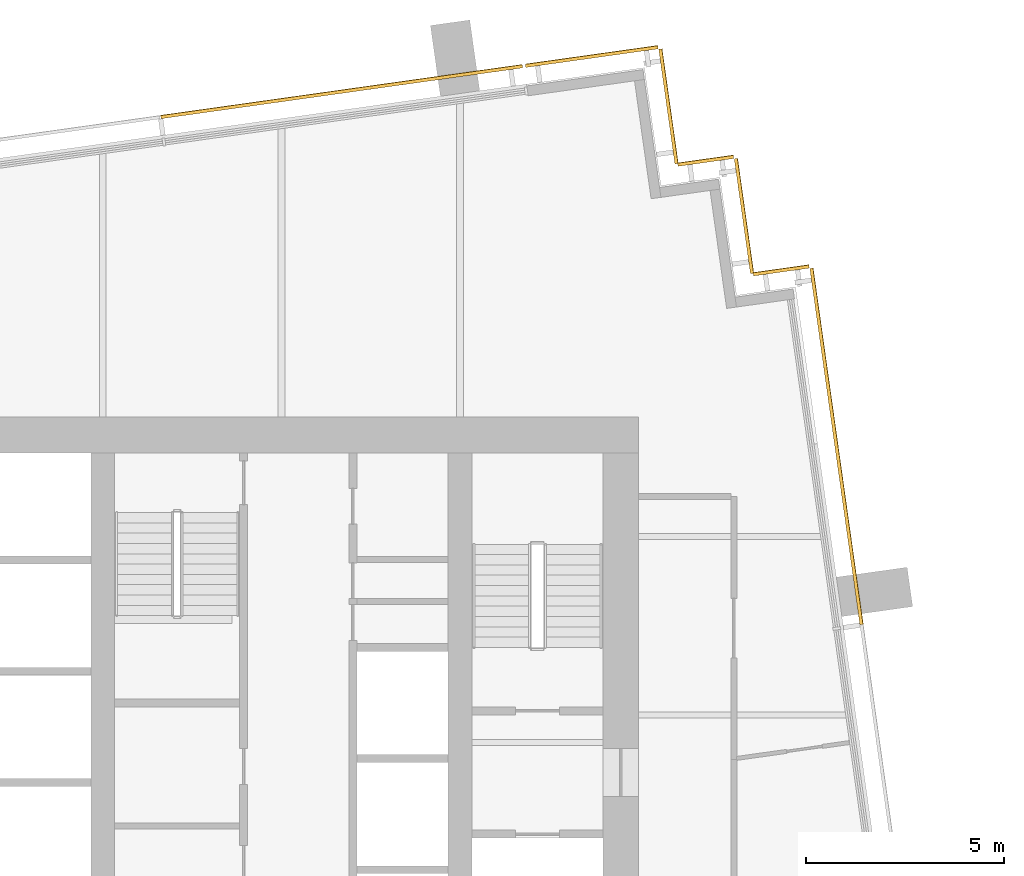
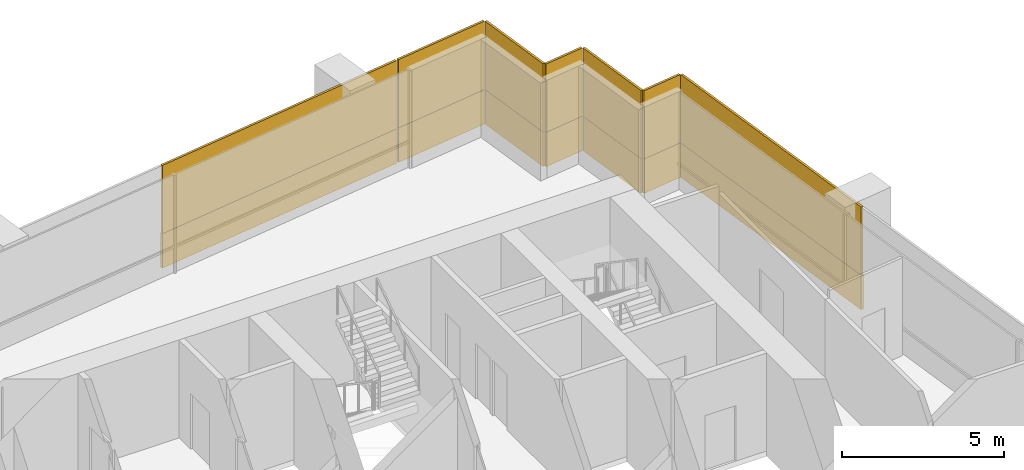
# One storey, part 15 of 15: 14 coverings.
"""IFC4 building model written with IfcOpenShell, lengths in metres."""

from ifc_helpers import new_model, si_unit, direction, frame, origin, origin_2d, place, context, subcontext, project, spatial, rectangle, extrude, material, layer, layer_set, type_object, element, save


model = new_model("IFC4")

# Units and contexts
model_context = context("Model", 3, precision=1e-05, world=origin(), true_north=direction((0.0, 1.0)))
body_context = subcontext(model_context, "Body", "Model", "MODEL_VIEW")
ifc_project = project(units=[si_unit("LENGTHUNIT", "METRE"), si_unit("AREAUNIT", "SQUARE_METRE"), si_unit("VOLUMEUNIT", "CUBIC_METRE"), si_unit("PLANEANGLEUNIT", "RADIAN"), si_unit("MASSUNIT", "GRAM", prefix="KILO")], contexts=[model_context])

# Site, building, storey
site_placement = place(None, origin())
site = spatial("IfcSite", under=ifc_project, at=site_placement, CompositionType="ELEMENT")
building_placement = place(site_placement, origin())
building = spatial("IfcBuilding", under=site, at=building_placement, Name="Rattan Terrace Tower", CompositionType="ELEMENT")
storey_placement = place(building_placement, frame((0.0, 0.0, 262.89990234375)))
storey = spatial("IfcBuildingStorey", under=building, at=storey_placement, Name="L60", CompositionType="ELEMENT", Elevation=262.89990234375)

# Coverings
ifc_material_1 = material(Name="Solid terracotta", Category="masonry")
ifc_layer_1 = layer(ifc_material_1, 0.090087890625)
ifc_layer_set_1 = layer_set([ifc_layer_1], Name="Facade Terracotta Band Panel HZ")
covering_type_1 = type_object("IfcCoveringType", Name="Facade Terracotta Band Panel HZ", PredefinedType="CLADDING", material=ifc_layer_set_1)
covering_1_placement = place(storey_placement, frame((22.986328125, 6.764892578125, -0.18994140625), z_axis=(0.0, 0.0, 1.0), x_axis=(-0.139191775431, 0.990265444036, 0.0)))
element("IfcCovering", 1, at=covering_1_placement, inside=storey, type_object=covering_type_1, Name="OUTER SKIN panel L60-8A", PredefinedType="CLADDING", context=body_context, shape_type="SweptSolid", body=[
    extrude(rectangle(XDim=9.066162109375, YDim=0.090087890625, at=origin_2d()), origin(), (0.0, 0.0, 1.0), 1.300048828125),
])
covering_2_placement = place(storey_placement, frame((21.59033203125, 11.20166015625, -0.18994140625), z_axis=(0.0, 0.0, 1.0), x_axis=(-0.990240767803, -0.139367219175, 0.0)))
element("IfcCovering", 2, at=covering_2_placement, inside=storey, type_object=covering_type_1, Name="OUTER SKIN panel L60-9A", PredefinedType="CLADDING", context=body_context, shape_type="SweptSolid", body=[
    extrude(rectangle(XDim=1.419677734375, YDim=0.090087890625, at=origin_2d()), origin(), (0.0, 0.0, 1.0), 1.300048828125),
])
covering_3_placement = place(storey_placement, frame((20.65576171875, 12.56982421875, -0.18994140625), z_axis=(0.0, 0.0, 1.0), x_axis=(-0.139321220646, 0.990247240581, 0.0)))
element("IfcCovering", 3, at=covering_3_placement, inside=storey, type_object=covering_type_1, Name="OUTER SKIN panel L60-10A", PredefinedType="CLADDING", context=body_context, shape_type="SweptSolid", body=[
    extrude(rectangle(XDim=2.919921875, YDim=0.090087890625, at=origin_2d()), origin(), (0.0, 0.0, 1.0), 1.300048828125),
])
covering_4_placement = place(storey_placement, frame((19.687255859375, 13.9638671875, -0.18994140625), z_axis=(0.0, 0.0, 1.0), x_axis=(-0.990332587523, -0.138713251317, 0.0)))
element("IfcCovering", 4, at=covering_4_placement, inside=storey, type_object=covering_type_1, Name="OUTER SKIN panel L60-11A", PredefinedType="CLADDING", context=body_context, shape_type="SweptSolid", body=[
    extrude(rectangle(XDim=1.41943359375, YDim=0.090087890625, at=origin_2d()), origin(), (0.0, 0.0, 1.0), 1.300048828125),
])
covering_5_placement = place(storey_placement, frame((18.752685546875, 15.332275390625, -0.18994140625), z_axis=(0.0, 0.0, 1.0), x_axis=(-0.139367219175, 0.990240767803, 0.0)))
element("IfcCovering", 5, at=covering_5_placement, inside=storey, type_object=covering_type_1, Name="OUTER SKIN panel L60-12A", PredefinedType="CLADDING", context=body_context, shape_type="SweptSolid", body=[
    extrude(rectangle(XDim=2.91943359375, YDim=0.090087890625, at=origin_2d()), origin(), (0.0, 0.0, 1.0), 1.300048828125),
])
covering_6_placement = place(storey_placement, frame((16.819091796875, 16.59033203125, -0.18994140625), z_axis=(0.0, 0.0, 1.0), x_axis=(-0.990286729519, -0.139040257974, 0.0)))
element("IfcCovering", 6, at=covering_6_placement, inside=storey, type_object=covering_type_1, Name="OUTER SKIN panel L60-13A", PredefinedType="CLADDING", context=body_context, shape_type="SweptSolid", body=[
    extrude(rectangle(XDim=3.368896484375, YDim=0.090087890625, at=origin_2d()), origin(), (0.0, 0.0, 1.0), 1.300048828125),
])
covering_7_placement = place(storey_placement, frame((10.516845703125, 15.70458984375, -0.18994140625), z_axis=(0.0, 0.0, 1.0), x_axis=(-0.990265894013, -0.139188574079, 0.0)))
element("IfcCovering", 7, at=covering_7_placement, inside=storey, type_object=covering_type_1, Name="OUTER SKIN panel L60-14A", PredefinedType="CLADDING", context=body_context, shape_type="SweptSolid", body=[
    extrude(rectangle(XDim=9.198974609375, YDim=0.090087890625, at=origin_2d()), origin(), (0.0, 0.0, 1.0), 1.300048828125),
])
ifc_material_2 = material(Name="Perforated terracotta", Category="masonry")
ifc_layer_2 = layer(ifc_material_2, 0.080078125)
ifc_layer_set_2 = layer_set([ifc_layer_2], Name="Facade Terracotta Screen Panel HZ")
covering_type_2 = type_object("IfcCoveringType", Name="Facade Terracotta Screen Panel HZ", PredefinedType="CLADDING", material=ifc_layer_set_2)
covering_8_placement = place(storey_placement, frame((22.9814453125, 6.76416015625, 1.110107421875), z_axis=(0.0, 0.0, 1.0), x_axis=(-0.139191775431, 0.990265444036, 0.0)))
element("IfcCovering", 8, at=covering_8_placement, inside=storey, type_object=covering_type_2, Name="OUTER SKIN panel L60-8B", PredefinedType="CLADDING", context=body_context, shape_type="SweptSolid", body=[
    extrude(rectangle(XDim=9.066162109375, YDim=0.080078125, at=origin_2d()), origin(), (0.0, 0.0, 1.0), 2.580078125),
])
covering_9_placement = place(storey_placement, frame((21.591064453125, 11.19677734375, 1.110107421875), z_axis=(0.0, 0.0, 1.0), x_axis=(-0.990240767803, -0.139367219175, 0.0)))
element("IfcCovering", 9, at=covering_9_placement, inside=storey, type_object=covering_type_2, Name="OUTER SKIN panel L60-9B", PredefinedType="CLADDING", context=body_context, shape_type="SweptSolid", body=[
    extrude(rectangle(XDim=1.419677734375, YDim=0.080078125, at=origin_2d()), origin(), (0.0, 0.0, 1.0), 2.580078125),
])
covering_10_placement = place(storey_placement, frame((20.65087890625, 12.569091796875, 1.110107421875), z_axis=(0.0, 0.0, 1.0), x_axis=(-0.139321220646, 0.990247240581, 0.0)))
element("IfcCovering", 10, at=covering_10_placement, inside=storey, type_object=covering_type_2, Name="OUTER SKIN panel L60-10B", PredefinedType="CLADDING", context=body_context, shape_type="SweptSolid", body=[
    extrude(rectangle(XDim=2.919921875, YDim=0.080078125, at=origin_2d()), origin(), (0.0, 0.0, 1.0), 2.580078125),
])
covering_11_placement = place(storey_placement, frame((19.68798828125, 13.958984375, 1.110107421875), z_axis=(0.0, 0.0, 1.0), x_axis=(-0.990332587523, -0.138713251317, 0.0)))
element("IfcCovering", 11, at=covering_11_placement, inside=storey, type_object=covering_type_2, Name="OUTER SKIN panel L60-11B", PredefinedType="CLADDING", context=body_context, shape_type="SweptSolid", body=[
    extrude(rectangle(XDim=1.41943359375, YDim=0.080078125, at=origin_2d()), origin(), (0.0, 0.0, 1.0), 2.580078125),
])
covering_12_placement = place(storey_placement, frame((18.747802734375, 15.33154296875, 1.110107421875), z_axis=(0.0, 0.0, 1.0), x_axis=(-0.139367219175, 0.990240767803, 0.0)))
element("IfcCovering", 12, at=covering_12_placement, inside=storey, type_object=covering_type_2, Name="OUTER SKIN panel L60-12B", PredefinedType="CLADDING", context=body_context, shape_type="SweptSolid", body=[
    extrude(rectangle(XDim=2.91943359375, YDim=0.080078125, at=origin_2d()), origin(), (0.0, 0.0, 1.0), 2.580078125),
])
covering_13_placement = place(storey_placement, frame((16.81982421875, 16.585205078125, 1.110107421875), z_axis=(0.0, 0.0, 1.0), x_axis=(-0.990286729519, -0.139040257974, 0.0)))
element("IfcCovering", 13, at=covering_13_placement, inside=storey, type_object=covering_type_2, Name="OUTER SKIN panel L60-13B", PredefinedType="CLADDING", context=body_context, shape_type="SweptSolid", body=[
    extrude(rectangle(XDim=3.368896484375, YDim=0.080078125, at=origin_2d()), origin(), (0.0, 0.0, 1.0), 2.580078125),
])
covering_14_placement = place(storey_placement, frame((10.517578125, 15.69970703125, 1.110107421875), z_axis=(0.0, 0.0, 1.0), x_axis=(-0.990265894013, -0.139188574079, 0.0)))
element("IfcCovering", 14, at=covering_14_placement, inside=storey, type_object=covering_type_2, Name="OUTER SKIN panel L60-14B", PredefinedType="CLADDING", context=body_context, shape_type="SweptSolid", body=[
    extrude(rectangle(XDim=9.198974609375, YDim=0.080078125, at=origin_2d()), origin(), (0.0, 0.0, 1.0), 2.580078125),
])

save(model, "model.ifc")
